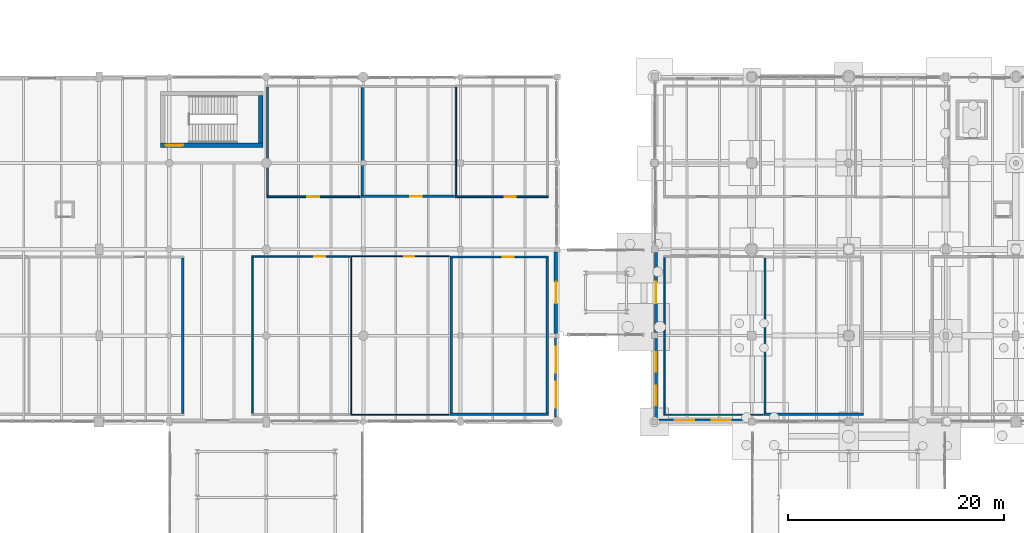
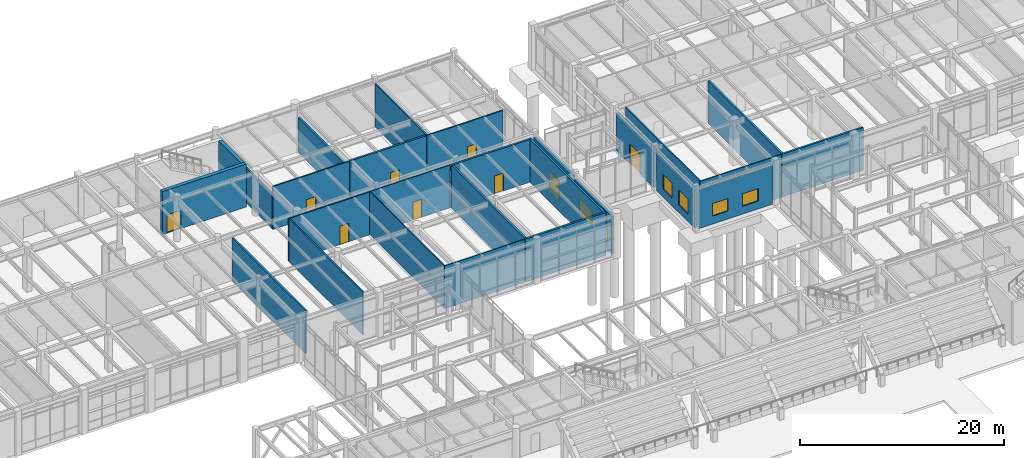
# One storey, part 177 of 203: 27 walls, 9 doors, 6 windows, 15 openings.
"""IFC4 building model written with IfcOpenShell, lengths in metres."""

from ifc_helpers import new_model, si_unit, direction, frame, frame_2d, origin, place, context, subcontext, project, spatial, rectangle, extrude, material, layer, layer_set, type_object, element, fill, save


model = new_model("IFC4")

# Units and contexts
model_context = context("Model", 3, precision=1e-05, world=origin(), true_north=direction((0.0, 1.0)))
body_context = subcontext(model_context, "Body", "Model", "MODEL_VIEW")
ifc_project = project(units=[si_unit("LENGTHUNIT", "METRE"), si_unit("AREAUNIT", "SQUARE_METRE"), si_unit("VOLUMEUNIT", "CUBIC_METRE"), si_unit("PLANEANGLEUNIT", "RADIAN"), si_unit("MASSUNIT", "GRAM", prefix="KILO"), si_unit("THERMODYNAMICTEMPERATUREUNIT", "KELVIN"), si_unit("POWERUNIT", "WATT")], contexts=[model_context])

# Site, building, storey
site_placement = place(None, origin())
site = spatial("IfcSite", under=ifc_project, at=site_placement, CompositionType="ELEMENT")
building_placement = place(site_placement, origin())
building = spatial("IfcBuilding", under=site, at=building_placement, Name="Tepalcoro Natatorium and Aquatics Centre", CompositionType="ELEMENT")
storey_placement = place(building_placement, origin())
storey = spatial("IfcBuildingStorey", under=building, at=storey_placement, Name="L00", CompositionType="ELEMENT", Elevation=0.0)

# Wall, opening, door
ifc_material_1 = material(Name="Precast Concrete C45/55 (fc 45 MPa)", Category="concrete")
ifc_layer_1 = layer(ifc_material_1, 0.260009765625)
ifc_layer_set_1 = layer_set([ifc_layer_1], Name="Precast Concrete C45/55 (fc 45 MPa)")
wall_type_1 = type_object("IfcWallType", Name="WL_EXT_GABLE_260", PredefinedType="SOLIDWALL", material=ifc_layer_set_1)
wall_1_placement = place(storey_placement, frame((98.1298828125, 94.279052734375, 0.0), z_axis=(0.0, 0.0, 1.0), x_axis=(0.0, 1.0, 0.0)))
wall_1 = element("IfcWall", 1, at=wall_1_placement, inside=storey, type_object=wall_type_1, Name="V5 L00 W Volcanic Basalt Envelope Wall", PredefinedType="SOLIDWALL", context=body_context, shape_type="SweptSolid", body=[
    extrude(rectangle(XDim=7.4169921875, YDim=0.260009765625, at=frame_2d((3.70849609375, 0.0))), origin(), (0.0, 0.0, 1.0), 4.498046875),
])
opening_1_placement = place(wall_1_placement, frame((2.70849609375, 0.0, 0.0)))
opening_1 = element("IfcOpeningElement", 2, at=opening_1_placement, cuts=wall_1, Name="Opening ED5043", PredefinedType="OPENING", context=body_context, shape_type="SweptSolid", body=[
    extrude(rectangle(XDim=2.0, YDim=2.39990234375, at=frame_2d((1.0, 1.199951171875))), frame((0.0, 0.14208984375, 0.0), z_axis=(0.0, -1.0, 0.0), x_axis=(1.0, 0.0, 0.0)), (0.0, 0.0, 1.0), 0.283935546875),
])
ifc_material_2 = material(Name="Bronze-Anodised Extruded Aluminium Alloy EN AW-6063 T6", Category="aluminium")
door_type_1 = type_object("IfcDoorType", Name="DR_200x240_EXT", OperationType="NOTDEFINED", PredefinedType="DOOR", material=ifc_material_2)
door_1_placement = place(opening_1_placement, origin())
door_1 = element("IfcDoor", 3, at=door_1_placement, inside=storey, type_object=door_type_1, Name="V5 L00 West Link Portal", OperationType="DOUBLE_DOOR_SINGLE_SWING", OverallHeight=2.39990234375, OverallWidth=2.0, PredefinedType="DOOR", context=body_context, shape_type="SweptSolid", body=[
    extrude(rectangle(XDim=2.0, YDim=2.39990234375, at=frame_2d((1.0, 1.199951171875))), frame((0.0, 0.02490234375, 0.0), z_axis=(0.0, -1.0, 0.0), x_axis=(1.0, 0.0, 0.0)), (0.0, 0.0, 1.0), 0.050048828125),
])
fill(opening_1, door_1)

# Wall, openings, windows
ifc_layer_2 = layer(ifc_material_1, 0.284912109375)
ifc_layer_set_2 = layer_set([ifc_layer_2], Name="Precast Concrete C45/55 (fc 45 MPa)")
wall_type_2 = type_object("IfcWallType", Name="WL_EXT_INSUL_280", PredefinedType="SOLIDWALL", material=ifc_layer_set_2)
wall_2_placement = place(storey_placement, frame((88.857421875, 86.4541015625, 0.0), z_axis=(0.0, 0.0, 1.0), x_axis=(0.0, 1.0, 0.0)))
wall_2 = element("IfcWall", 4, at=wall_2_placement, inside=storey, type_object=wall_type_2, Name="V4 L00 E Volcanic Basalt Envelope Wall", PredefinedType="SOLIDWALL", context=body_context, shape_type="SweptSolid", body=[
    extrude(rectangle(XDim=7.341796875, YDim=0.284912109375, at=frame_2d((3.6708984375, 0.0))), origin(), (0.0, 0.0, 1.0), 4.51806640625),
])
opening_2_placement = place(wall_2_placement, frame((0.847412109375, 0.0, 0.949951171875)))
opening_2 = element("IfcOpeningElement", 5, at=opening_2_placement, cuts=wall_2, Name="Opening W0071A", PredefinedType="OPENING", context=body_context, shape_type="SweptSolid", body=[
    extrude(rectangle(XDim=2.39990234375, YDim=1.800048828125, at=frame_2d((1.199951171875, 0.89990234375))), frame((0.0, 0.154296875, 0.0), z_axis=(0.0, -1.0, 0.0), x_axis=(1.0, 0.0, 0.0)), (0.0, 0.0, 1.0), 0.308837890625),
])
opening_3_placement = place(wall_2_placement, frame((4.0947265625, 0.0, 0.949951171875)))
opening_3 = element("IfcOpeningElement", 6, at=opening_3_placement, cuts=wall_2, Name="Opening W0071B", PredefinedType="OPENING", context=body_context, shape_type="SweptSolid", body=[
    extrude(rectangle(XDim=2.39990234375, YDim=1.800048828125, at=frame_2d((1.199951171875, 0.89990234375))), frame((0.0, 0.154296875, 0.0), z_axis=(0.0, -1.0, 0.0), x_axis=(1.0, 0.0, 0.0)), (0.0, 0.0, 1.0), 0.308837890625),
])
ifc_material_3 = material(Name="Solar-Control Bronze Tempered Low-E Double Glazing", Category="glass")
window_type_1 = type_object("IfcWindowType", Name="WN_240x180", PartitioningType="SINGLE_PANEL", PredefinedType="WINDOW", material=ifc_material_3)
window_1_placement = place(opening_2_placement, origin())
window_1 = element("IfcWindow", 7, at=window_1_placement, inside=storey, type_object=window_type_1, Name="Exterior Thermal Window WN_240x180", OverallHeight=1.800048828125, OverallWidth=2.39990234375, PartitioningType="SINGLE_PANEL", PredefinedType="WINDOW", context=body_context, shape_type="SweptSolid", body=[
    extrude(rectangle(XDim=2.39990234375, YDim=1.800048828125, at=frame_2d((1.199951171875, 0.89990234375))), frame((0.0, 0.030029296875, 0.0), z_axis=(0.0, -1.0, 0.0), x_axis=(1.0, 0.0, 0.0)), (0.0, 0.0, 1.0), 0.06005859375),
])
fill(opening_2, window_1)
window_2_placement = place(opening_3_placement, origin())
window_2 = element("IfcWindow", 8, at=window_2_placement, inside=storey, type_object=window_type_1, Name="Exterior Thermal Window WN_240x180", OverallHeight=1.800048828125, OverallWidth=2.39990234375, PartitioningType="SINGLE_PANEL", PredefinedType="WINDOW", context=body_context, shape_type="SweptSolid", body=[
    extrude(rectangle(XDim=2.39990234375, YDim=1.800048828125, at=frame_2d((1.199951171875, 0.89990234375))), frame((0.0, 0.030029296875, 0.0), z_axis=(0.0, -1.0, 0.0), x_axis=(1.0, 0.0, 0.0)), (0.0, 0.0, 1.0), 0.06005859375),
])
fill(opening_3, window_2)

wall_3_placement = place(storey_placement, frame((98.25390625, 86.142578125, 0.0), z_axis=(0.0, 0.0, 1.0), x_axis=(1.0, 0.0, 0.0)))
wall_3 = element("IfcWall", 9, at=wall_3_placement, inside=storey, type_object=wall_type_2, Name="V5 L00 S Volcanic Basalt Envelope Wall", PredefinedType="SOLIDWALL", context=body_context, shape_type="SweptSolid", body=[
    extrude(rectangle(XDim=8.442138671875, YDim=0.284912109375, at=frame_2d((4.22119140625, 0.0))), origin(), (0.0, 0.0, 1.0), 4.64990234375),
])
opening_4_placement = place(wall_3_placement, frame((1.614013671875, 0.0, 0.949951171875)))
opening_4 = element("IfcOpeningElement", 10, at=opening_4_placement, cuts=wall_3, Name="Opening W0083A", PredefinedType="OPENING", context=body_context, shape_type="SweptSolid", body=[
    extrude(rectangle(XDim=1.800048828125, YDim=1.5, at=frame_2d((0.89990234375, 0.75))), frame((0.0, 0.154296875, 0.0), z_axis=(0.0, -1.0, 0.0), x_axis=(1.0, 0.0, 0.0)), (0.0, 0.0, 1.0), 0.308837890625),
])
opening_5_placement = place(wall_3_placement, frame((5.028076171875, 0.0, 0.949951171875)))
opening_5 = element("IfcOpeningElement", 11, at=opening_5_placement, cuts=wall_3, Name="Opening W0083B", PredefinedType="OPENING", context=body_context, shape_type="SweptSolid", body=[
    extrude(rectangle(XDim=1.800048828125, YDim=1.5, at=frame_2d((0.89990234375, 0.75))), frame((0.0, 0.154296875, 0.0), z_axis=(0.0, -1.0, 0.0), x_axis=(1.0, 0.0, 0.0)), (0.0, 0.0, 1.0), 0.308837890625),
])
window_type_2 = type_object("IfcWindowType", Name="WN_180x150", PartitioningType="SINGLE_PANEL", PredefinedType="WINDOW", material=ifc_material_3)
window_3_placement = place(opening_4_placement, origin())
window_3 = element("IfcWindow", 12, at=window_3_placement, inside=storey, type_object=window_type_2, Name="Exterior Thermal Window WN_180x150", OverallHeight=1.5, OverallWidth=1.800048828125, PartitioningType="SINGLE_PANEL", PredefinedType="WINDOW", context=body_context, shape_type="SweptSolid", body=[
    extrude(rectangle(XDim=1.800048828125, YDim=1.5, at=frame_2d((0.89990234375, 0.75))), frame((0.0, 0.030029296875, 0.0), z_axis=(0.0, -1.0, 0.0), x_axis=(1.0, 0.0, 0.0)), (0.0, 0.0, 1.0), 0.06005859375),
])
fill(opening_4, window_3)
window_4_placement = place(opening_5_placement, origin())
window_4 = element("IfcWindow", 13, at=window_4_placement, inside=storey, type_object=window_type_2, Name="Exterior Thermal Window WN_180x150", OverallHeight=1.5, OverallWidth=1.800048828125, PartitioningType="SINGLE_PANEL", PredefinedType="WINDOW", context=body_context, shape_type="SweptSolid", body=[
    extrude(rectangle(XDim=1.800048828125, YDim=1.5, at=frame_2d((0.89990234375, 0.75))), frame((0.0, 0.030029296875, 0.0), z_axis=(0.0, -1.0, 0.0), x_axis=(1.0, 0.0, 0.0)), (0.0, 0.0, 1.0), 0.06005859375),
])
fill(opening_5, window_4)

wall_4_placement = place(storey_placement, frame((98.142578125, 86.2890625, 0.0), z_axis=(0.0, 0.0, 1.0), x_axis=(0.0, 1.0, 0.0)))
wall_4 = element("IfcWall", 14, at=wall_4_placement, inside=storey, type_object=wall_type_2, Name="V5 L00 W Volcanic Basalt Envelope Wall", PredefinedType="SOLIDWALL", context=body_context, shape_type="SweptSolid", body=[
    extrude(rectangle(XDim=7.431884765625, YDim=0.284912109375, at=frame_2d((3.7158203125, 0.0))), origin(), (0.0, 0.0, 1.0), 4.573974609375),
])
opening_6_placement = place(wall_4_placement, frame((1.27734375, 0.0, 0.949951171875)))
opening_6 = element("IfcOpeningElement", 15, at=opening_6_placement, cuts=wall_4, Name="Opening W0087A", PredefinedType="OPENING", context=body_context, shape_type="SweptSolid", body=[
    extrude(rectangle(XDim=1.800048828125, YDim=1.800048828125, at=frame_2d((0.89990234375, 0.89990234375))), frame((0.0, 0.154296875, 0.0), z_axis=(0.0, -1.0, 0.0), x_axis=(1.0, 0.0, 0.0)), (0.0, 0.0, 1.0), 0.308837890625),
])
opening_7_placement = place(wall_4_placement, frame((4.354736328125, 0.0, 0.949951171875)))
opening_7 = element("IfcOpeningElement", 16, at=opening_7_placement, cuts=wall_4, Name="Opening W0087B", PredefinedType="OPENING", context=body_context, shape_type="SweptSolid", body=[
    extrude(rectangle(XDim=1.800048828125, YDim=1.800048828125, at=frame_2d((0.89990234375, 0.89990234375))), frame((0.0, 0.154296875, 0.0), z_axis=(0.0, -1.0, 0.0), x_axis=(1.0, 0.0, 0.0)), (0.0, 0.0, 1.0), 0.308837890625),
])
window_type_3 = type_object("IfcWindowType", Name="WN_180x180", PartitioningType="SINGLE_PANEL", PredefinedType="WINDOW", material=ifc_material_3)
window_5_placement = place(opening_6_placement, origin())
window_5 = element("IfcWindow", 17, at=window_5_placement, inside=storey, type_object=window_type_3, Name="Exterior Thermal Window WN_180x180", OverallHeight=1.800048828125, OverallWidth=1.800048828125, PartitioningType="SINGLE_PANEL", PredefinedType="WINDOW", context=body_context, shape_type="SweptSolid", body=[
    extrude(rectangle(XDim=1.800048828125, YDim=1.800048828125, at=frame_2d((0.89990234375, 0.89990234375))), frame((0.0, 0.030029296875, 0.0), z_axis=(0.0, -1.0, 0.0), x_axis=(1.0, 0.0, 0.0)), (0.0, 0.0, 1.0), 0.06005859375),
])
fill(opening_6, window_5)
window_6_placement = place(opening_7_placement, origin())
window_6 = element("IfcWindow", 18, at=window_6_placement, inside=storey, type_object=window_type_3, Name="Exterior Thermal Window WN_180x180", OverallHeight=1.800048828125, OverallWidth=1.800048828125, PartitioningType="SINGLE_PANEL", PredefinedType="WINDOW", context=body_context, shape_type="SweptSolid", body=[
    extrude(rectangle(XDim=1.800048828125, YDim=1.800048828125, at=frame_2d((0.89990234375, 0.89990234375))), frame((0.0, 0.030029296875, 0.0), z_axis=(0.0, -1.0, 0.0), x_axis=(1.0, 0.0, 0.0)), (0.0, 0.0, 1.0), 0.06005859375),
])
fill(opening_7, window_6)

# Wall, opening, door
ifc_material_4 = material(Name="Jalisco Cantera Rosa Volcanic Tuff Ashlar Masonry", Category="masonry")
ifc_layer_3 = layer(ifc_material_4, 0.304931640625)
ifc_layer_set_3 = layer_set([ifc_layer_3], Name="Jalisco Cantera Rosa Volcanic Tuff Ashlar Masonry")
wall_type_3 = type_object("IfcWallType", Name="WL_EXT_TERRACOTTA_300", PredefinedType="SOLIDWALL", material=ifc_layer_set_3)
wall_5_placement = place(storey_placement, frame((88.847412109375, 94.2041015625, 0.0), z_axis=(0.0, 0.0, 1.0), x_axis=(0.0, 1.0, 0.0)))
wall_5 = element("IfcWall", 19, at=wall_5_placement, inside=storey, type_object=wall_type_3, Name="V4 L00 E Volcanic Basalt Envelope Wall", PredefinedType="SOLIDWALL", context=body_context, shape_type="SweptSolid", body=[
    extrude(rectangle(XDim=7.56689453125, YDim=0.304931640625, at=frame_2d((3.783447265625, 0.0))), origin(), (0.0, 0.0, 1.0), 4.717041015625),
])
opening_8_placement = place(wall_5_placement, frame((2.783447265625, 0.0, 0.0)))
opening_8 = element("IfcOpeningElement", 20, at=opening_8_placement, cuts=wall_5, Name="Opening ED5034", PredefinedType="OPENING", context=body_context, shape_type="SweptSolid", body=[
    extrude(rectangle(XDim=2.0, YDim=2.39990234375, at=frame_2d((1.0, 1.199951171875))), frame((0.0, 0.16455078125, 0.0), z_axis=(0.0, -1.0, 0.0), x_axis=(1.0, 0.0, 0.0)), (0.0, 0.0, 1.0), 0.328857421875),
])
door_2_placement = place(opening_8_placement, frame((2.0, 0.0, 0.0), z_axis=(0.0, 0.0, 1.0), x_axis=(-1.0, 0.0, 0.0)))
door_2 = element("IfcDoor", 21, at=door_2_placement, inside=storey, type_object=door_type_1, Name="V4 L00 East Link Portal", OperationType="DOUBLE_DOOR_SINGLE_SWING", OverallHeight=2.39990234375, OverallWidth=2.0, PredefinedType="DOOR", context=body_context, shape_type="SweptSolid", body=[
    extrude(rectangle(XDim=2.0, YDim=2.39990234375, at=frame_2d((1.0, 1.199951171875))), frame((0.0, 0.02490234375, 0.0), z_axis=(0.0, -1.0, 0.0), x_axis=(1.0, 0.0, 0.0)), (0.0, 0.0, 1.0), 0.050048828125),
])
fill(opening_8, door_2)

# Wall
ifc_material_5 = material(Name="Moisture-Resistant Acoustic Gypsum Drywall on Cold-Formed Metal Studs")
ifc_layer_4 = layer(ifc_material_5, 0.10009765625)
ifc_layer_set_4 = layer_set([ifc_layer_4], Name="Moisture-Resistant Acoustic Gypsum Drywall on Cold-Formed Metal Studs")
wall_type_4 = type_object("IfcWallType", Name="WL_PART_100", PredefinedType="PARTITIONING", material=ifc_layer_set_4)
wall_6_placement = place(storey_placement, frame((69.840087890625, 86.64990234375, 0.0), z_axis=(0.0, 0.0, 1.0), x_axis=(1.0, 0.0, 0.0)))
element("IfcWall", 22, at=wall_6_placement, inside=storey, type_object=wall_type_4, Name="Swim Coaching Office & Pool Deck First Aid Partition S", PredefinedType="PARTITIONING", context=body_context, shape_type="SweptSolid", body=[
    extrude(rectangle(XDim=9.119873046875, YDim=0.10009765625, at=frame_2d((4.56005859375, 0.0))), origin(), (0.0, 0.0, 1.0), 5.14501953125),
])

# Wall, opening, door
wall_7_placement = place(storey_placement, frame((69.840087890625, 101.35009765625, 0.0), z_axis=(0.0, 0.0, 1.0), x_axis=(1.0, 0.0, 0.0)))
wall_7 = element("IfcWall", 23, at=wall_7_placement, inside=storey, type_object=wall_type_4, Name="Swim Coaching Office & Pool Deck First Aid Partition N", PredefinedType="PARTITIONING", context=body_context, shape_type="SweptSolid", body=[
    extrude(rectangle(XDim=9.119873046875, YDim=0.10009765625, at=frame_2d((4.56005859375, 0.0))), origin(), (0.0, 0.0, 1.0), 5.14501953125),
])
opening_9_placement = place(wall_7_placement, frame((4.933349609375, 0.0, 0.0)))
opening_9 = element("IfcOpeningElement", 24, at=opening_9_placement, cuts=wall_7, Name="Opening D0101", PredefinedType="OPENING", context=body_context, shape_type="SweptSolid", body=[
    extrude(rectangle(XDim=0.949951171875, YDim=2.14990234375, at=frame_2d((0.47509765625, 1.074951171875))), frame((0.0, 0.06201171875, 0.0), z_axis=(0.0, -1.0, 0.0), x_axis=(1.0, 0.0, 0.0)), (0.0, 0.0, 1.0), 0.1240234375),
])
ifc_material_6 = material(Name="Solid-Core Moisture-Sealed Oak Timber Leaf in Aluminium Frame", Category="wood")
door_type_2 = type_object("IfcDoorType", Name="DR_095x215_OFFICE", OperationType="NOTDEFINED", PredefinedType="DOOR", material=ifc_material_6)
door_3_placement = place(opening_9_placement, frame((0.949951171875, 0.0, 0.0), z_axis=(0.0, 0.0, 1.0), x_axis=(-1.0, 0.0, 0.0)))
door_3 = element("IfcDoor", 25, at=door_3_placement, inside=storey, type_object=door_type_2, Name="Swim Coaching Office & Pool Deck First Aid Door", OperationType="SINGLE_SWING_LEFT", OverallHeight=2.14990234375, OverallWidth=0.949951171875, PredefinedType="DOOR", context=body_context, shape_type="SweptSolid", body=[
    extrude(rectangle(XDim=0.949951171875, YDim=2.14990234375, at=frame_2d((0.47509765625, 1.074951171875))), frame((0.0, 0.02490234375, 0.0), z_axis=(0.0, -1.0, 0.0), x_axis=(1.0, 0.0, 0.0)), (0.0, 0.0, 1.0), 0.050048828125),
])
fill(opening_9, door_3)

# Walls
wall_8_placement = place(storey_placement, frame((69.889892578125, 86.699951171875, 0.0), z_axis=(0.0, 0.0, 1.0), x_axis=(0.0, 1.0, 0.0)))
element("IfcWall", 26, at=wall_8_placement, inside=storey, type_object=wall_type_4, Name="Swim Coaching Office & Pool Deck First Aid Partition W", PredefinedType="PARTITIONING", context=body_context, shape_type="SweptSolid", body=[
    extrude(rectangle(XDim=14.60009765625, YDim=0.10009765625, at=frame_2d((7.300048828125, 0.0))), origin(), (0.0, 0.0, 1.0), 5.14501953125),
])
ifc_layer_5 = layer(ifc_material_5, 0.125)
ifc_layer_set_5 = layer_set([ifc_layer_5], Name="Moisture-Resistant Acoustic Gypsum Drywall on Cold-Formed Metal Studs")
wall_type_5 = type_object("IfcWallType", Name="WL_PART_125", PredefinedType="PARTITIONING", material=ifc_layer_set_5)
wall_9_placement = place(storey_placement, frame((98.840087890625, 86.66259765625, 0.0), z_axis=(0.0, 0.0, 1.0), x_axis=(1.0, 0.0, 0.0)))
element("IfcWall", 27, at=wall_9_placement, inside=storey, type_object=wall_type_5, Name="Garden Courtyard Cafe & Espresso Terrace Lounge Partition S", PredefinedType="PARTITIONING", context=body_context, shape_type="SweptSolid", body=[
    extrude(rectangle(XDim=9.219970703125, YDim=0.125, at=frame_2d((4.60986328125, 0.0))), origin(), (0.0, 0.0, 1.0), 5.125),
])
wall_10_placement = place(storey_placement, frame((98.902587890625, 86.72509765625, 0.0), z_axis=(0.0, 0.0, 1.0), x_axis=(0.0, 1.0, 0.0)))
element("IfcWall", 28, at=wall_10_placement, inside=storey, type_object=wall_type_5, Name="Garden Courtyard Cafe & Espresso Terrace Lounge Partition W", PredefinedType="PARTITIONING", context=body_context, shape_type="SweptSolid", body=[
    extrude(rectangle(XDim=14.5498046875, YDim=0.125, at=frame_2d((7.27490234375, 0.0))), origin(), (0.0, 0.0, 1.0), 5.125),
])

# Wall, opening, door
ifc_layer_6 = layer(ifc_material_5, 0.14990234375)
ifc_layer_set_6 = layer_set([ifc_layer_6], Name="Moisture-Resistant Acoustic Gypsum Drywall on Cold-Formed Metal Studs")
wall_type_6 = type_object("IfcWallType", Name="WL_PART_150_AC", PredefinedType="PARTITIONING", material=ifc_layer_set_6)
wall_11_placement = place(storey_placement, frame((60.639892578125, 101.324951171875, 0.0), z_axis=(0.0, 0.0, 1.0), x_axis=(1.0, 0.0, 0.0)))
wall_11 = element("IfcWall", 29, at=wall_11_placement, inside=storey, type_object=wall_type_6, Name="School Swim Group Changing Village Partition N", PredefinedType="PARTITIONING", context=body_context, shape_type="SweptSolid", body=[
    extrude(rectangle(XDim=9.1201171875, YDim=0.14990234375, at=frame_2d((4.56005859375, 0.0))), origin(), (0.0, 0.0, 1.0), 5.14501953125),
])
opening_10_placement = place(wall_11_placement, frame((5.81494140625, 0.0, 0.0)))
opening_10 = element("IfcOpeningElement", 30, at=opening_10_placement, cuts=wall_11, Name="Opening D0100", PredefinedType="OPENING", context=body_context, shape_type="SweptSolid", body=[
    extrude(rectangle(XDim=1.0, YDim=2.199951171875, at=frame_2d((0.5, 1.10009765625))), frame((0.0, 0.0869140625, 0.0), z_axis=(0.0, -1.0, 0.0), x_axis=(1.0, 0.0, 0.0)), (0.0, 0.0, 1.0), 0.173828125),
])
ifc_material_7 = material(Name="Galvanised Steel Insulated Acoustic Fire Door Assembly", Category="steel")
door_type_3 = type_object("IfcDoorType", Name="DR_100x220_FD60", OperationType="NOTDEFINED", PredefinedType="DOOR", material=ifc_material_7)
door_4_placement = place(opening_10_placement, frame((1.0, 0.0, 0.0), z_axis=(0.0, 0.0, 1.0), x_axis=(-1.0, 0.0, 0.0)))
door_4 = element("IfcDoor", 31, at=door_4_placement, inside=storey, type_object=door_type_3, Name="School Swim Group Changing Village Door", OperationType="SINGLE_SWING_RIGHT", OverallHeight=2.199951171875, OverallWidth=1.0, PredefinedType="DOOR", context=body_context, shape_type="SweptSolid", body=[
    extrude(rectangle(XDim=1.0, YDim=2.199951171875, at=frame_2d((0.5, 1.10009765625))), frame((0.0, 0.02490234375, 0.0), z_axis=(0.0, -1.0, 0.0), x_axis=(1.0, 0.0, 0.0)), (0.0, 0.0, 1.0), 0.050048828125),
])
fill(opening_10, door_4)

# Wall
wall_12_placement = place(storey_placement, frame((60.715087890625, 86.75, 0.0), z_axis=(0.0, 0.0, 1.0), x_axis=(0.0, 1.0, 0.0)))
element("IfcWall", 32, at=wall_12_placement, inside=storey, type_object=wall_type_6, Name="School Swim Group Changing Village Partition W", PredefinedType="PARTITIONING", context=body_context, shape_type="SweptSolid", body=[
    extrude(rectangle(XDim=14.5, YDim=0.14990234375, at=frame_2d((7.25, 0.0))), origin(), (0.0, 0.0, 1.0), 5.14501953125),
])

# Wall, opening, door
wall_13_placement = place(storey_placement, frame((62.0400390625, 106.875, 0.0), z_axis=(0.0, 0.0, 1.0), x_axis=(1.0, 0.0, 0.0)))
wall_13 = element("IfcWall", 33, at=wall_13_placement, inside=storey, type_object=wall_type_6, Name="Hydrotherapy & Pediatric Rehab Consultation Suite Partition S", PredefinedType="PARTITIONING", context=body_context, shape_type="SweptSolid", body=[
    extrude(rectangle(XDim=8.653076171875, YDim=0.14990234375, at=frame_2d((4.32666015625, 0.0))), origin(), (0.0, 0.0, 1.0), 5.14501953125),
])
opening_11_placement = place(wall_13_placement, frame((3.776611328125, 0.0, 0.0)))
opening_11 = element("IfcOpeningElement", 34, at=opening_11_placement, cuts=wall_13, Name="Opening D0103", PredefinedType="OPENING", context=body_context, shape_type="SweptSolid", body=[
    extrude(rectangle(XDim=1.10009765625, YDim=2.25, at=frame_2d((0.550048828125, 1.125))), frame((0.0, 0.0869140625, 0.0), z_axis=(0.0, -1.0, 0.0), x_axis=(1.0, 0.0, 0.0)), (0.0, 0.0, 1.0), 0.173828125),
])
door_type_4 = type_object("IfcDoorType", Name="DR_110x225", OperationType="NOTDEFINED", PredefinedType="DOOR", material=ifc_material_6)
door_5_placement = place(opening_11_placement, origin())
door_5 = element("IfcDoor", 35, at=door_5_placement, inside=storey, type_object=door_type_4, Name="Hydrotherapy & Pediatric Rehab Consultation Suite Door", OperationType="SINGLE_SWING_LEFT", OverallHeight=2.25, OverallWidth=1.10009765625, PredefinedType="DOOR", context=body_context, shape_type="SweptSolid", body=[
    extrude(rectangle(XDim=1.10009765625, YDim=2.25, at=frame_2d((0.550048828125, 1.125))), frame((0.0, 0.02490234375, 0.0), z_axis=(0.0, -1.0, 0.0), x_axis=(1.0, 0.0, 0.0)), (0.0, 0.0, 1.0), 0.050048828125),
])
fill(opening_11, door_5)

# Wall
wall_14_placement = place(storey_placement, frame((62.114990234375, 106.949951171875, 0.0), z_axis=(0.0, 0.0, 1.0), x_axis=(0.0, 1.0, 0.0)))
element("IfcWall", 36, at=wall_14_placement, inside=storey, type_object=wall_type_6, Name="Hydrotherapy & Pediatric Rehab Consultation Suite Partition W", PredefinedType="PARTITIONING", context=body_context, shape_type="SweptSolid", body=[
    extrude(rectangle(XDim=10.10009765625, YDim=0.14990234375, at=frame_2d((5.050048828125, 0.0))), origin(), (0.0, 0.0, 1.0), 4.2109375),
])

# Wall, opening, door
wall_15_placement = place(storey_placement, frame((79.507080078125, 106.875, 0.0), z_axis=(0.0, 0.0, 1.0), x_axis=(1.0, 0.0, 0.0)))
wall_15 = element("IfcWall", 37, at=wall_15_placement, inside=storey, type_object=wall_type_6, Name="Aquatic Rehab Mobility Aid & Hoist Store Partition S", PredefinedType="PARTITIONING", context=body_context, shape_type="SweptSolid", body=[
    extrude(rectangle(XDim=8.65283203125, YDim=0.14990234375, at=frame_2d((4.326416015625, 0.0))), origin(), (0.0, 0.0, 1.0), 5.14501953125),
])
opening_12_placement = place(wall_15_placement, frame((4.61279296875, 0.0, 0.0)))
opening_12 = element("IfcOpeningElement", 38, at=opening_12_placement, cuts=wall_15, Name="Opening D0105", PredefinedType="OPENING", context=body_context, shape_type="SweptSolid", body=[
    extrude(rectangle(XDim=1.0, YDim=2.199951171875, at=frame_2d((0.5, 1.10009765625))), frame((0.0, 0.0869140625, 0.0), z_axis=(0.0, -1.0, 0.0), x_axis=(1.0, 0.0, 0.0)), (0.0, 0.0, 1.0), 0.173828125),
])
door_6_placement = place(opening_12_placement, origin())
door_6 = element("IfcDoor", 39, at=door_6_placement, inside=storey, type_object=door_type_3, Name="Aquatic Rehab Mobility Aid & Hoist Store Door", OperationType="SINGLE_SWING_LEFT", OverallHeight=2.199951171875, OverallWidth=1.0, PredefinedType="DOOR", context=body_context, shape_type="SweptSolid", body=[
    extrude(rectangle(XDim=1.0, YDim=2.199951171875, at=frame_2d((0.5, 1.10009765625))), frame((0.0, 0.02490234375, 0.0), z_axis=(0.0, -1.0, 0.0), x_axis=(1.0, 0.0, 0.0)), (0.0, 0.0, 1.0), 0.050048828125),
])
fill(opening_12, door_6)

# Walls
wall_16_placement = place(storey_placement, frame((79.58203125, 106.949951171875, 0.0), z_axis=(0.0, 0.0, 1.0), x_axis=(0.0, 1.0, 0.0)))
element("IfcWall", 40, at=wall_16_placement, inside=storey, type_object=wall_type_6, Name="Aquatic Rehab Mobility Aid & Hoist Store Partition W", PredefinedType="PARTITIONING", context=body_context, shape_type="SweptSolid", body=[
    extrude(rectangle(XDim=10.10009765625, YDim=0.14990234375, at=frame_2d((5.050048828125, 0.0))), origin(), (0.0, 0.0, 1.0), 5.14501953125),
])
ifc_material_8 = material(Name="Ceramic-Tiled Moisture-Resistant Masonry Blockwork", Category="masonry")
ifc_layer_7 = layer(ifc_material_8, 0.199951171875)
ifc_layer_set_7 = layer_set([ifc_layer_7], Name="Ceramic-Tiled Moisture-Resistant Masonry Blockwork")
wall_type_7 = type_object("IfcWallType", Name="WL_PLUMB_200", PredefinedType="PLUMBINGWALL", material=ifc_layer_set_7)
wall_17_placement = place(storey_placement, frame((54.260009765625, 86.800048828125, 0.0), z_axis=(0.0, 0.0, 1.0), x_axis=(0.0, 1.0, 0.0)))
element("IfcWall", 41, at=wall_17_placement, inside=storey, type_object=wall_type_7, Name="Accessible Changing Places Suite & Hoist WC Partition E", PredefinedType="PLUMBINGWALL", context=body_context, shape_type="SweptSolid", body=[
    extrude(rectangle(XDim=14.39990234375, YDim=0.199951171875, at=frame_2d((7.199951171875, 0.0))), origin(), (0.0, 0.0, 1.0), 5.14501953125),
])
ifc_layer_8 = layer(ifc_material_8, 0.219970703125)
ifc_layer_set_8 = layer_set([ifc_layer_8], Name="Ceramic-Tiled Moisture-Resistant Masonry Blockwork")
wall_type_8 = type_object("IfcWallType", Name="WL_PLUMB_220", PredefinedType="PLUMBINGWALL", material=ifc_layer_set_8)
wall_18_placement = place(storey_placement, frame((79.0400390625, 86.7099609375, 0.0), z_axis=(0.0, 0.0, 1.0), x_axis=(1.0, 0.0, 0.0)))
element("IfcWall", 42, at=wall_18_placement, inside=storey, type_object=wall_type_8, Name="Community Pool Male & Female Toilets Partition S", PredefinedType="PLUMBINGWALL", context=body_context, shape_type="SweptSolid", body=[
    extrude(rectangle(XDim=9.119873046875, YDim=0.219970703125, at=frame_2d((4.56005859375, 0.0))), origin(), (0.0, 0.0, 1.0), 5.14501953125),
])

# Wall, opening, door
wall_19_placement = place(storey_placement, frame((79.0400390625, 101.2900390625, 0.0), z_axis=(0.0, 0.0, 1.0), x_axis=(1.0, 0.0, 0.0)))
wall_19 = element("IfcWall", 43, at=wall_19_placement, inside=storey, type_object=wall_type_8, Name="Community Pool Male & Female Toilets Partition N", PredefinedType="PLUMBINGWALL", context=body_context, shape_type="SweptSolid", body=[
    extrude(rectangle(XDim=9.119873046875, YDim=0.219970703125, at=frame_2d((4.56005859375, 0.0))), origin(), (0.0, 0.0, 1.0), 5.14501953125),
])
opening_13_placement = place(wall_19_placement, frame((4.871337890625, 0.0, 0.0)))
opening_13 = element("IfcOpeningElement", 44, at=opening_13_placement, cuts=wall_19, Name="Opening D0102", PredefinedType="OPENING", context=body_context, shape_type="SweptSolid", body=[
    extrude(rectangle(XDim=1.050048828125, YDim=2.14990234375, at=frame_2d((0.52490234375, 1.074951171875))), frame((0.0, 0.1220703125, 0.0), z_axis=(0.0, -1.0, 0.0), x_axis=(1.0, 0.0, 0.0)), (0.0, 0.0, 1.0), 0.243896484375),
])
door_type_5 = type_object("IfcDoorType", Name="DR_105x215_ACC", OperationType="NOTDEFINED", PredefinedType="DOOR", material=ifc_material_6)
door_7_placement = place(opening_13_placement, frame((1.050048828125, 0.0, 0.0), z_axis=(0.0, 0.0, 1.0), x_axis=(-1.0, 0.0, 0.0)))
door_7 = element("IfcDoor", 45, at=door_7_placement, inside=storey, type_object=door_type_5, Name="Community Pool Male & Female Toilets Door", OperationType="SINGLE_SWING_RIGHT", OverallHeight=2.14990234375, OverallWidth=1.050048828125, PredefinedType="DOOR", context=body_context, shape_type="SweptSolid", body=[
    extrude(rectangle(XDim=1.050048828125, YDim=2.14990234375, at=frame_2d((0.52490234375, 1.074951171875))), frame((0.0, 0.02490234375, 0.0), z_axis=(0.0, -1.0, 0.0), x_axis=(1.0, 0.0, 0.0)), (0.0, 0.0, 1.0), 0.050048828125),
])
fill(opening_13, door_7)

# Walls
for number, where, z_axis, x_axis, name in (
    (46, (88.050048828125, 86.820068359375, 0.0), (0.0, 0.0, 1.0), (0.0, 1.0, 0.0), "Community Pool Male & Female Toilets Partition E"),
    (47, (79.14990234375, 86.820068359375, 0.0), (0.0, 0.0, 1.0), (0.0, 1.0, 0.0), "Community Pool Male & Female Toilets Partition W"),
):
    element("IfcWall", number, at=place(storey_placement, frame(where, z_axis=z_axis, x_axis=x_axis)), inside=storey, type_object=wall_type_8, Name=name, PredefinedType="PLUMBINGWALL", context=body_context, shape_type="SweptSolid", body=[
        extrude(rectangle(XDim=14.35986328125, YDim=0.219970703125, at=frame_2d((7.179931640625, 0.0))), origin(), (0.0, 0.0, 1.0), 5.14501953125),
    ])

# Wall, opening, door
wall_20_placement = place(storey_placement, frame((70.77294921875, 106.909912109375, 0.0), z_axis=(0.0, 0.0, 1.0), x_axis=(1.0, 0.0, 0.0)))
wall_20 = element("IfcWall", 48, at=wall_20_placement, inside=storey, type_object=wall_type_8, Name="Hydrotherapy Accessible Assisted Bathroom Partition S", PredefinedType="PLUMBINGWALL", context=body_context, shape_type="SweptSolid", body=[
    extrude(rectangle(XDim=8.654052734375, YDim=0.219970703125, at=frame_2d((4.3271484375, 0.0))), origin(), (0.0, 0.0, 1.0), 5.14501953125),
])
opening_14_placement = place(wall_20_placement, frame((4.58251953125, 0.0, 0.0)))
opening_14 = element("IfcOpeningElement", 49, at=opening_14_placement, cuts=wall_20, Name="Opening D0104", PredefinedType="OPENING", context=body_context, shape_type="SweptSolid", body=[
    extrude(rectangle(XDim=1.050048828125, YDim=2.14990234375, at=frame_2d((0.52490234375, 1.074951171875))), frame((0.0, 0.1220703125, 0.0), z_axis=(0.0, -1.0, 0.0), x_axis=(1.0, 0.0, 0.0)), (0.0, 0.0, 1.0), 0.243896484375),
])
door_8_placement = place(opening_14_placement, origin())
door_8 = element("IfcDoor", 50, at=door_8_placement, inside=storey, type_object=door_type_5, Name="Hydrotherapy Accessible Assisted Bathroom Door", OperationType="SINGLE_SWING_RIGHT", OverallHeight=2.14990234375, OverallWidth=1.050048828125, PredefinedType="DOOR", context=body_context, shape_type="SweptSolid", body=[
    extrude(rectangle(XDim=1.050048828125, YDim=2.14990234375, at=frame_2d((0.52490234375, 1.074951171875))), frame((0.0, 0.02490234375, 0.0), z_axis=(0.0, -1.0, 0.0), x_axis=(1.0, 0.0, 0.0)), (0.0, 0.0, 1.0), 0.050048828125),
])
fill(opening_14, door_8)

# Wall
wall_21_placement = place(storey_placement, frame((70.883056640625, 107.02001953125, 0.0), z_axis=(0.0, 0.0, 1.0), x_axis=(0.0, 1.0, 0.0)))
element("IfcWall", 51, at=wall_21_placement, inside=storey, type_object=wall_type_8, Name="Hydrotherapy Accessible Assisted Bathroom Partition W", PredefinedType="PLUMBINGWALL", context=body_context, shape_type="SweptSolid", body=[
    extrude(rectangle(XDim=9.9599609375, YDim=0.219970703125, at=frame_2d((4.97998046875, 0.0))), origin(), (0.0, 0.0, 1.0), 4.197998046875),
])

# Wall, opening, door
ifc_material_9 = material(Name="Concrete C40/50 (fc 40 MPa)", Category="concrete")
ifc_layer_9 = layer(ifc_material_9, 0.39990234375)
ifc_layer_set_9 = layer_set([ifc_layer_9], Name="Concrete C40/50 (fc 40 MPa)")
wall_type_9 = type_object("IfcWallType", Name="WL_SHEAR_400", PredefinedType="SHEAR", material=ifc_layer_set_9)
wall_22_placement = place(storey_placement, frame((52.199951171875, 111.64990234375, 0.0), z_axis=(0.0, 0.0, 1.0), x_axis=(1.0, 0.0, 0.0)))
wall_22 = element("IfcWall", 52, at=wall_22_placement, inside=storey, type_object=wall_type_9, Name="ST08 Core Shear Wall S L00", PredefinedType="SHEAR", context=body_context, shape_type="SweptSolid", body=[
    extrude(rectangle(XDim=9.5, YDim=0.39990234375, at=frame_2d((4.75, 0.0))), origin(), (0.0, 0.0, 1.0), 5.159912109375),
])
opening_15_placement = place(wall_22_placement, frame((0.47998046875, 0.0, 0.0)))
opening_15 = element("IfcOpeningElement", 53, at=opening_15_placement, cuts=wall_22, Name="Opening D0030", PredefinedType="OPENING", context=body_context, shape_type="SweptSolid", body=[
    extrude(rectangle(XDim=1.60009765625, YDim=2.199951171875, at=frame_2d((0.800048828125, 1.10009765625))), frame((0.0, 0.2119140625, 0.0), z_axis=(0.0, -1.0, 0.0), x_axis=(1.0, 0.0, 0.0)), (0.0, 0.0, 1.0), 0.423828125),
])
door_type_6 = type_object("IfcDoorType", Name="DR_160x220_FD90", OperationType="NOTDEFINED", PredefinedType="DOOR", material=ifc_material_7)
door_9_placement = place(opening_15_placement, frame((1.60009765625, 0.0, 0.0), z_axis=(0.0, 0.0, 1.0), x_axis=(-1.0, 0.0, 0.0)))
door_9 = element("IfcDoor", 54, at=door_9_placement, inside=storey, type_object=door_type_6, Name="ST08 Fire Stair Door (L00)", OperationType="DOUBLE_DOOR_SINGLE_SWING", OverallHeight=2.199951171875, OverallWidth=1.60009765625, PredefinedType="DOOR", context=body_context, shape_type="SweptSolid", body=[
    extrude(rectangle(XDim=1.60009765625, YDim=2.199951171875, at=frame_2d((0.800048828125, 1.10009765625))), frame((0.0, 0.02490234375, 0.0), z_axis=(0.0, -1.0, 0.0), x_axis=(1.0, 0.0, 0.0)), (0.0, 0.0, 1.0), 0.050048828125),
])
fill(opening_15, door_9)

# Walls
wall_23_placement = place(storey_placement, frame((61.5, 111.85009765625, 0.0), z_axis=(0.0, 0.0, 1.0), x_axis=(0.0, 1.0, 0.0)))
element("IfcWall", 55, at=wall_23_placement, inside=storey, type_object=wall_type_9, Name="ST08 Core Shear Wall E L00", PredefinedType="SHEAR", context=body_context, shape_type="SweptSolid", body=[
    extrude(rectangle(XDim=4.39990234375, YDim=0.39990234375, at=frame_2d((2.199951171875, 0.0))), origin(), (0.0, 0.0, 1.0), 5.159912109375),
])
ifc_material_10 = material(Name="Concrete C35/45 (fc 35 MPa)", Category="concrete")
ifc_layer_10 = layer(ifc_material_10, 0.205078125)
ifc_layer_set_10 = layer_set([ifc_layer_10], Name="Concrete C35/45 (fc 35 MPa)")
wall_type_10 = type_object("IfcWallType", Name="WL_SOLID_200_FR120", PredefinedType="SOLIDWALL", material=ifc_layer_set_10)
wall_24_placement = place(storey_placement, frame((108.139892578125, 86.702392578125, 0.0), z_axis=(0.0, 0.0, 1.0), x_axis=(1.0, 0.0, 0.0)))
element("IfcWall", 56, at=wall_24_placement, inside=storey, type_object=wall_type_10, Name="Commercial Catering Kitchen & Cold Larder Partition S", PredefinedType="SOLIDWALL", context=body_context, shape_type="SweptSolid", body=[
    extrude(rectangle(XDim=9.22021484375, YDim=0.205078125, at=frame_2d((4.610107421875, 0.0))), origin(), (0.0, 0.0, 1.0), 5.125),
])
wall_25_placement = place(storey_placement, frame((108.242431640625, 86.804931640625, 0.0), z_axis=(0.0, 0.0, 1.0), x_axis=(0.0, 1.0, 0.0)))
element("IfcWall", 57, at=wall_25_placement, inside=storey, type_object=wall_type_10, Name="Commercial Catering Kitchen & Cold Larder Partition W", PredefinedType="SOLIDWALL", context=body_context, shape_type="SweptSolid", body=[
    extrude(rectangle(XDim=14.39013671875, YDim=0.205078125, at=frame_2d((7.195068359375, 0.0))), origin(), (0.0, 0.0, 1.0), 5.125),
])

save(model, "model.ifc")
